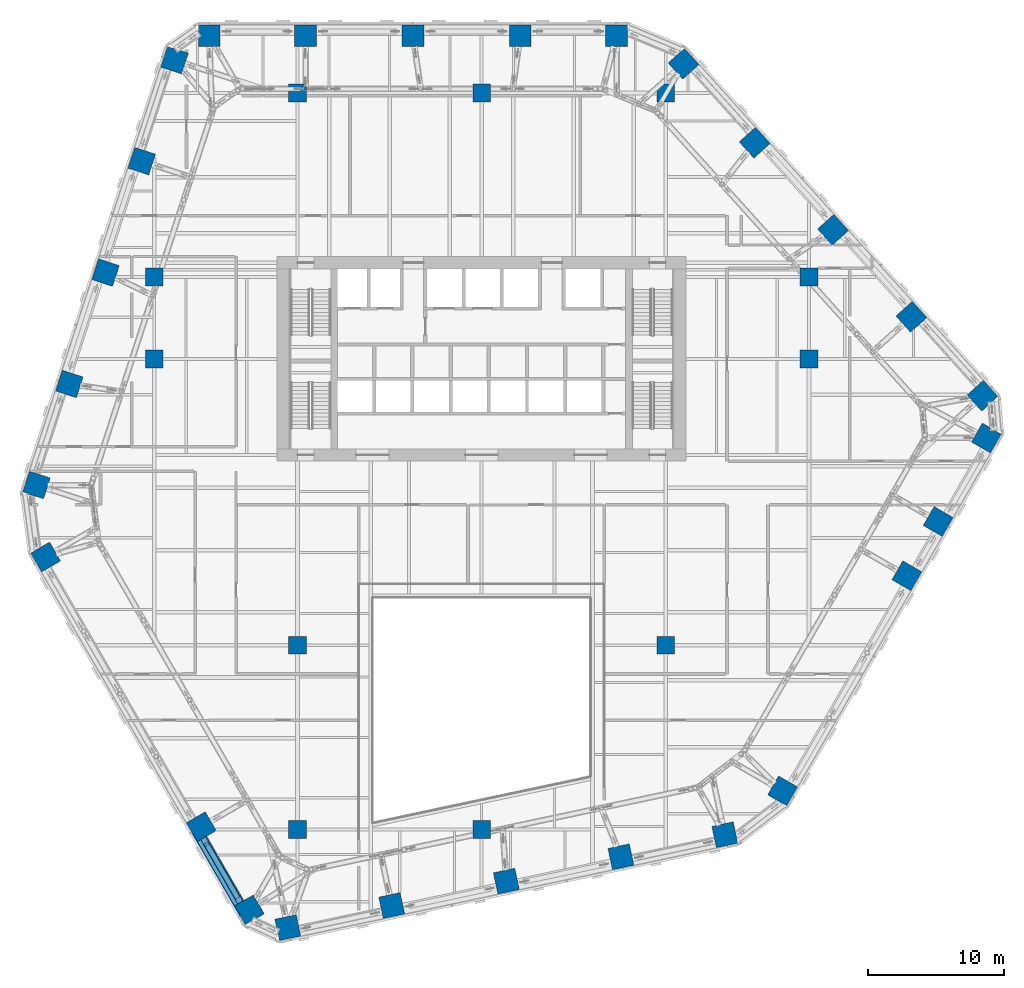
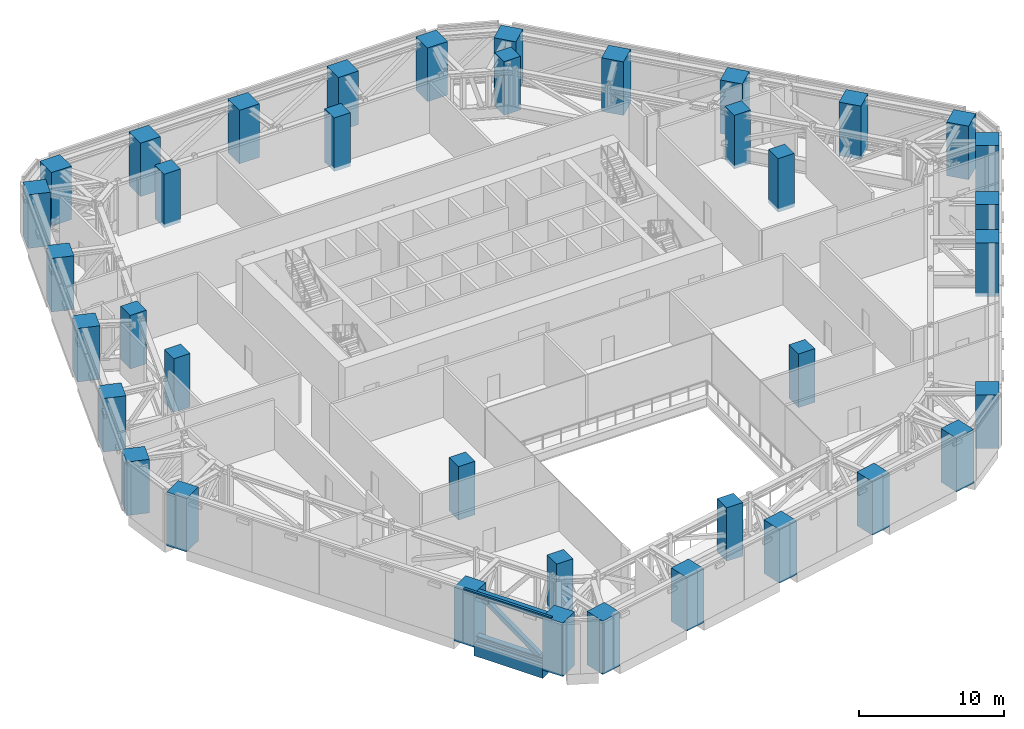
# One storey, part 1 of 36: 38 columns, 4 members, 1 beam, 1 element without a shape of its own.
"""IFC4 building model written with IfcOpenShell, lengths in metres."""

from ifc_helpers import new_model, si_unit, direction, frame, origin, origin_2d, place, context, subcontext, project, spatial, rectangle, hollow_rectangle, i_section, extrude, material, layer, layer_set, material_profile, profile_set, type_object, element, aggregate, save


model = new_model("IFC4")

# Units and contexts
model_context = context("Model", 3, precision=1e-05, world=origin(), true_north=direction((0.0, 1.0)))
body_context = subcontext(model_context, "Body", "Model", "MODEL_VIEW")
ifc_project = project(units=[si_unit("LENGTHUNIT", "METRE"), si_unit("AREAUNIT", "SQUARE_METRE"), si_unit("VOLUMEUNIT", "CUBIC_METRE"), si_unit("PLANEANGLEUNIT", "RADIAN"), si_unit("MASSUNIT", "GRAM", prefix="KILO")], contexts=[model_context])

# Site, building, storey
site_placement = place(None, origin())
site = spatial("IfcSite", under=ifc_project, at=site_placement, CompositionType="ELEMENT")
building_placement = place(site_placement, origin())
building = spatial("IfcBuilding", under=site, at=building_placement, Name="Isthmus Gate Tower", CompositionType="ELEMENT")
storey_placement = place(building_placement, frame((0.0, 0.0, 117.14990234375)))
storey = spatial("IfcBuildingStorey", under=building, at=storey_placement, Name="L28", CompositionType="ELEMENT", Elevation=117.14990234375)

# Columns
ifc_material_1 = material(Name="Concrete f'c 70 MPa", Category="concrete")
ifc_material_profile_1 = material_profile(ifc_material_1, rectangle(XDim=1.300048828125, YDim=1.300048828125, at=origin_2d()), Name="RC 1300X1300")
ifc_profile_set_1 = profile_set([ifc_material_profile_1], Name="Concrete f'c 70 MPa")
column_type_1 = type_object("IfcColumnType", Name="RC INTERIOR COLUMN 1300 X 1300", PredefinedType="COLUMN", material=ifc_profile_set_1)
for number, where, z_axis, x_axis, name in (
    (1, (-24.0, 7.5, -0.2998046875), (0.0, 0.0, 1.0), (1.0, 0.0, 0.0), "str-icol-L28-ICA3"),
    (2, (-24.0, 13.5, -0.2998046875), (0.0, 0.0, 1.0), (1.0, 0.0, 0.0), "str-icol-L28-ICA4"),
    (3, (-13.5, -27.0, -0.2998046875), (0.0, 0.0, 1.0), (1.0, 0.0, 0.0), "str-icol-L28-ICB1"),
    (4, (-13.5, -13.5, -0.2998046875), (0.0, 0.0, 1.0), (1.0, 0.0, 0.0), "str-icol-L28-ICB2"),
    (5, (-13.5, 27.0, -0.2998046875), (0.0, 0.0, 1.0), (1.0, 0.0, 0.0), "str-icol-L28-ICB5"),
    (6, (0.0, -27.0, -0.2998046875), (0.0, 0.0, 1.0), (1.0, 0.0, 0.0), "str-icol-L28-ICC1"),
    (7, (0.0, 27.0, -0.2998046875), (0.0, 0.0, 1.0), (1.0, 0.0, 0.0), "str-icol-L28-ICC5"),
    (8, (13.5, -13.5, -0.2998046875), (0.0, 0.0, 1.0), (1.0, 0.0, 0.0), "str-icol-L28-ICD2"),
    (9, (13.5, 27.0, -0.2998046875), (0.0, 0.0, 1.0), (1.0, 0.0, 0.0), "str-icol-L28-ICD5"),
    (10, (24.0, 7.5, -0.2998046875), (0.0, 0.0, 1.0), (1.0, 0.0, 0.0), "str-icol-L28-ICE3"),
    (11, (24.0, 13.5, -0.2998046875), (0.0, 0.0, 1.0), (1.0, 0.0, 0.0), "str-icol-L28-ICE4"),
):
    element("IfcColumn", number, at=place(storey_placement, frame(where, z_axis=z_axis, x_axis=x_axis)), inside=storey, type_object=column_type_1, Name=name, PredefinedType="COLUMN", context=body_context, shape_type="SweptSolid", body=[
        extrude(rectangle(XDim=1.300048828125, YDim=1.300048828125, at=origin_2d()), origin(), (0.0, 0.0, 1.0), 4.5),
    ])
ifc_material_2 = material(Name="Concrete f'c 70 MPa", Category="concrete")
ifc_material_profile_2 = material_profile(ifc_material_2, rectangle(XDim=1.60009765625, YDim=1.60009765625, at=origin_2d()), Name="RC 1600X1600")
ifc_profile_set_2 = profile_set([ifc_material_profile_2], Name="Concrete f'c 70 MPa")
column_type_2 = type_object("IfcColumnType", Name="RC TUBE COLUMN 1600 X 1600", PredefinedType="COLUMN", material=ifc_profile_set_2)
for number, where, z_axis, x_axis, name in (
    (12, (9.90185546875, 31.199951171875, -0.2998046875), (0.0, 0.0, 1.0), (-1.0, 0.0, 0.0), "str-tcol-L28-T1N0"),
    (13, (2.832275390625, 31.199951171875, -0.2998046875), (0.0, 0.0, 1.0), (-1.0, 0.0, 0.0), "str-tcol-L28-T1N1"),
    (14, (-5.037109375, 31.199951171875, -0.2998046875), (0.0, 0.0, 1.0), (-1.0, 0.0, 0.0), "str-tcol-L28-T1N2"),
    (15, (-12.90673828125, 31.199951171875, -0.2998046875), (0.0, 0.0, 1.0), (-1.0, 0.0, 0.0), "str-tcol-L28-T1N3"),
    (16, (-19.976318359375, 31.199951171875, -0.2998046875), (0.0, 0.0, 1.0), (-1.0, 0.0, 0.0), "str-tcol-L28-T1N4"),
    (17, (-22.515380859375, 29.406982421875, -0.2998046875), (0.0, 0.0, 1.0), (-0.309016994375, -0.951056516295, 0.0), "str-tcol-L28-T1NW0"),
    (18, (-24.922607421875, 21.998779296875, -0.2998046875), (0.0, 0.0, 1.0), (-0.309016994375, -0.951056516295, 0.0), "str-tcol-L28-T1NW1"),
    (19, (-27.57666015625, 13.829833984375, -0.2998046875), (0.0, 0.0, 1.0), (-0.309016994375, -0.951056516295, 0.0), "str-tcol-L28-T1NW2"),
    (20, (-30.23095703125, 5.660888671875, -0.2998046875), (0.0, 0.0, 1.0), (-0.309016994375, -0.951056516295, 0.0), "str-tcol-L28-T1NW3"),
    (21, (-32.63818359375, -1.747314453125, -0.2998046875), (0.0, 0.0, 1.0), (-0.309016994375, -0.951056516295, 0.0), "str-tcol-L28-T1NW4"),
    (22, (-31.970947265625, -7.024658203125, -0.2998046875), (0.0, 0.0, 1.0), (0.5, -0.866025403784, 0.0), "str-tcol-L28-T1SW0"),
    (23, (-20.5537109375, -26.800048828125, -0.2998046875), (0.0, 0.0, 1.0), (0.5, -0.866025403784, 0.0), "str-tcol-L28-T1SW2"),
    (24, (-17.031982421875, -32.89990234375, -0.2998046875), (0.0, 0.0, 1.0), (0.5, -0.866025403784, 0.0), "str-tcol-L28-T1SW3"),
    (25, (-14.20947265625, -34.202392578125, -0.2998046875), (0.0, 0.0, 1.0), (0.978147600734, 0.207911690818, 0.0), "str-tcol-L28-T1S0"),
    (26, (-6.59033203125, -32.5830078125, -0.2998046875), (0.0, 0.0, 1.0), (0.978147600734, 0.207911690818, 0.0), "str-tcol-L28-T1S1"),
    (27, (1.811279296875, -30.797119140625, -0.2998046875), (0.0, 0.0, 1.0), (0.978147600734, 0.207911690818, 0.0), "str-tcol-L28-T1S2"),
    (28, (10.213134765625, -29.01123046875, -0.2998046875), (0.0, 0.0, 1.0), (0.978147600734, 0.207911690818, 0.0), "str-tcol-L28-T1S3"),
    (29, (17.832275390625, -27.391845703125, -0.2998046875), (0.0, 0.0, 1.0), (0.978147600734, 0.207911690818, 0.0), "str-tcol-L28-T1S4"),
    (30, (22.069091796875, -24.17529296875, -0.2998046875), (0.0, 0.0, 1.0), (0.5, 0.866025403784, 0.0), "str-tcol-L28-T1SE0"),
    (31, (31.177001953125, -8.39990234375, -0.2998046875), (0.0, 0.0, 1.0), (0.5, 0.866025403784, 0.0), "str-tcol-L28-T1SE1"),
    (32, (33.473388671875, -4.42236328125, -0.2998046875), (0.0, 0.0, 1.0), (0.5, 0.866025403784, 0.0), "str-tcol-L28-T1SE2"),
    (33, (37.008056640625, 1.699951171875, -0.2998046875), (0.0, 0.0, 1.0), (0.5, 0.866025403784, 0.0), "str-tcol-L28-T1SE3"),
    (34, (36.724853515625, 4.79541015625, -0.2998046875), (0.0, 0.0, 1.0), (-0.669130606359, 0.743144825477, 0.0), "str-tcol-L28-T1NE0"),
    (35, (31.5126953125, 10.584228515625, -0.2998046875), (0.0, 0.0, 1.0), (-0.669130606359, 0.743144825477, 0.0), "str-tcol-L28-T1NE1"),
    (36, (25.765380859375, 16.96728515625, -0.2998046875), (0.0, 0.0, 1.0), (-0.669130606359, 0.743144825477, 0.0), "str-tcol-L28-T1NE2"),
    (37, (20.01806640625, 23.350341796875, -0.2998046875), (0.0, 0.0, 1.0), (-0.669130606359, 0.743144825477, 0.0), "str-tcol-L28-T1NE3"),
    (38, (14.805908203125, 29.138916015625, -0.2998046875), (0.0, 0.0, 1.0), (-0.669130606359, 0.743144825477, 0.0), "str-tcol-L28-T1NE4"),
):
    element("IfcColumn", number, at=place(storey_placement, frame(where, z_axis=z_axis, x_axis=x_axis)), inside=storey, type_object=column_type_2, Name=name, PredefinedType="COLUMN", context=body_context, shape_type="SweptSolid", body=[
        extrude(rectangle(XDim=1.60009765625, YDim=1.60009765625, at=origin_2d()), origin(), (0.0, 0.0, 1.0), 4.5),
    ])

# Members
ifc_material_3 = material(Name="Structural steel ASTM A913 Gr 65", Category="steel")
ifc_material_profile_3 = material_profile(ifc_material_3, i_section(OverallWidth=0.4287109375, OverallDepth=0.482666015625, WebThickness=0.05078125, FlangeThickness=0.0810546875, at=origin_2d()), Name="W14X455")
ifc_profile_set_3 = profile_set([ifc_material_profile_3], Name="Structural steel ASTM A913 Gr 65")
member_type_1 = type_object("IfcMemberType", Name="BELT TRUSS CHORD W14X455", PredefinedType="CHORD", material=ifc_profile_set_3)
for number, where, z_axis, x_axis, name in (
    (39, (-17.691650390625, -32.357177734375, 0.241455078125), (-0.50001232093, 0.866018290175, 0.0), (-0.866018290175, -0.50001232093, 0.0), "str-belt15-L28-01"),
    (40, (-17.691650390625, -32.357177734375, 3.958740234375), (-0.50001232093, 0.866018290175, 0.0), (-0.866018290175, -0.50001232093, 0.0), "str-belt15-L28-02"),
):
    element("IfcMember", number, at=place(storey_placement, frame(where, z_axis=z_axis, x_axis=x_axis)), inside=storey, type_object=member_type_1, Name=name, PredefinedType="CHORD", context=body_context, shape_type="SweptSolid", body=[
        extrude(i_section(OverallWidth=0.4287109375, OverallDepth=0.482666015625, WebThickness=0.05078125, FlangeThickness=0.0810546875, at=origin_2d()), origin(), (0.0, 0.0, 1.0), 5.443603515625),
    ])

# Curtain wall, member
ifc_material_4 = material(Name="Aluminium, pale champagne anodised", Category="aluminium")
ifc_layer = layer(ifc_material_4, 0.199951171875)
ifc_layer_set = layer_set([ifc_layer], Name="CW-2 LOUVRE CURTAIN WALL 200 DEEP")
curtain_wall_type = type_object("IfcCurtainWallType", Name="CW-2 LOUVRE CURTAIN WALL 200 DEEP", PredefinedType="NOTDEFINED", material=ifc_layer_set)
curtain_wall_placement = place(storey_placement, origin())
curtain_wall = element("IfcCurtainWall", 41, at=curtain_wall_placement, inside=storey, type_object=curtain_wall_type, Name="CW-2 SW L28", PredefinedType="NOTDEFINED")
ifc_material_5 = material(Name="Aluminium, pale champagne anodised", Category="aluminium")
ifc_material_profile_4 = material_profile(ifc_material_5, rectangle(XDim=0.199951171875, YDim=0.1201171875, at=origin_2d()), Name="200x120")
ifc_profile_set_4 = profile_set([ifc_material_profile_4], Name="Aluminium, pale champagne anodised")
member_type_2 = type_object("IfcMemberType", Name="CW-2 TRANSOM 200 X 120", PredefinedType="USERDEFINED", material=ifc_profile_set_4)
member_1_placement = place(storey_placement, frame((-21.302978515625, -27.302001953125, 4.440185546875), z_axis=(0.499996830835, -0.866027233495, 0.0), x_axis=(0.866027233495, 0.499996830835, 0.0)))
member_1 = element("IfcMember", 42, at=member_1_placement, type_object=member_type_2, Name="CW-2 transom", ObjectType="TRANSOM", PredefinedType="USERDEFINED", context=body_context, shape_type="SweptSolid", body=[
    extrude(rectangle(XDim=0.199951171875, YDim=0.1201171875, at=origin_2d()), origin(), (0.0, 0.0, 1.0), 6.9833984375),
])
aggregate(curtain_wall, [member_1])

# Beam
ifc_material_6 = material(Name="Concrete f'c 70 MPa", Category="concrete")
ifc_material_profile_5 = material_profile(ifc_material_6, rectangle(XDim=0.800048828125, YDim=1.0, at=origin_2d()), Name="RC 800X1000")
ifc_profile_set_5 = profile_set([ifc_material_profile_5], Name="Concrete f'c 70 MPa")
beam_type = type_object("IfcBeamType", Name="RC SPANDREL 800 X 1000", PredefinedType="SPANDREL", material=ifc_profile_set_5)
beam_placement = place(storey_placement, frame((-17.7783203125, -32.406982421875, -0.5), z_axis=(-0.499998104561, 0.866026498114, 0.0), x_axis=(-0.866026498114, -0.499998104561, 0.0)))
element("IfcBeam", 43, at=beam_placement, inside=storey, type_object=beam_type, Name="str-spandrel-L28-15", PredefinedType="SPANDREL", context=body_context, shape_type="SweptSolid", body=[
    extrude(rectangle(XDim=0.800048828125, YDim=1.0, at=origin_2d()), origin(), (0.0, 0.0, 1.0), 5.443359375),
])

# Member
ifc_material_7 = material(Name="Structural steel ASTM A500 Gr C", Category="steel")
ifc_material_profile_6 = material_profile(ifc_material_7, hollow_rectangle(XDim=0.355712890625, YDim=0.355712890625, WallThickness=0.017578125, at=origin_2d()), Name="HSS14X14X3/4")
ifc_profile_set_6 = profile_set([ifc_material_profile_6], Name="Structural steel ASTM A500 Gr C")
member_type_3 = type_object("IfcMemberType", Name="TRUSS DIAGONAL HSS14X14X3/4", PredefinedType="BRACE", material=ifc_profile_set_6)
member_2_placement = place(storey_placement, frame((-17.941650390625, -31.924072265625, 0.482666015625), z_axis=(-0.404256844182, 0.700131455664, 0.588551058721), x_axis=(-0.866006250141, -0.500033173616, 0.0)))
element("IfcMember", 44, at=member_2_placement, inside=storey, type_object=member_type_3, Name="str-belt15-L28-03", PredefinedType="BRACE", context=body_context, shape_type="SweptSolid", body=[
    extrude(hollow_rectangle(XDim=0.355712890625, YDim=0.355712890625, WallThickness=0.017578125, at=origin_2d()), origin(), (0.0, 0.0, 1.0), 5.496337890625),
])

save(model, "model.ifc")
